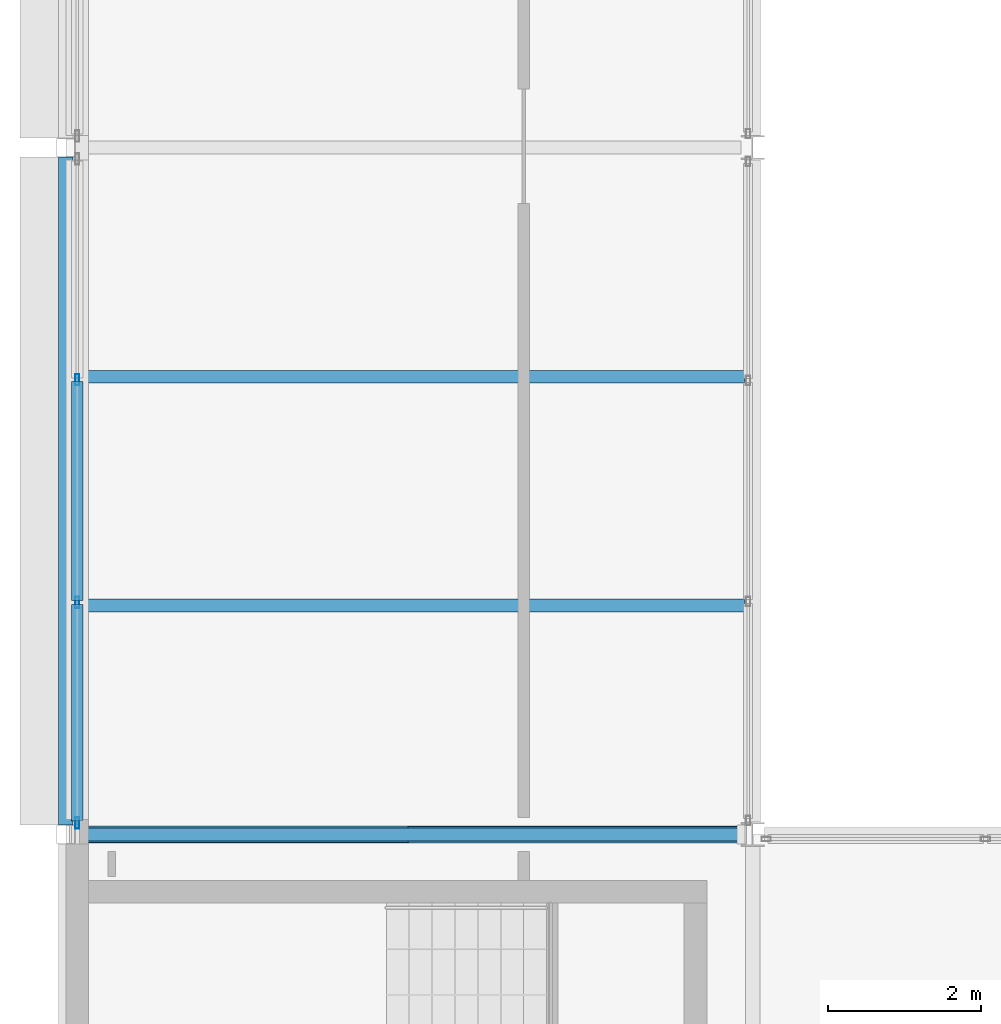
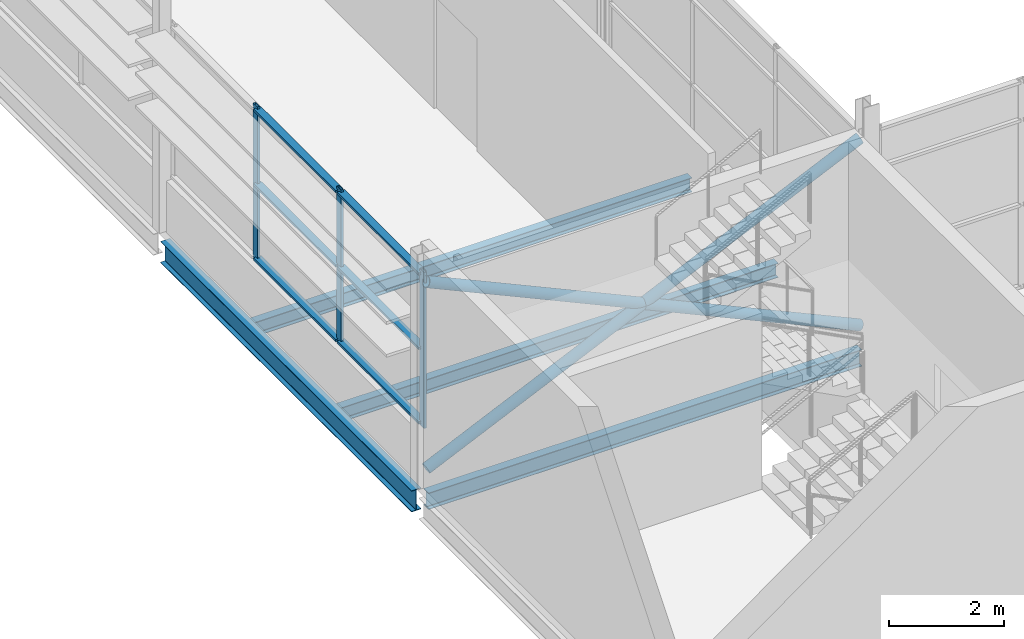
# One storey, part 9 of 61: 11 members, 4 beams, 1 element without a shape of its own.
"""IFC4 building model written with IfcOpenShell, lengths in metres."""

import ifcopenshell
import ifcopenshell.guid

model = None  # the IFC model being written
_history = None  # IfcOwnerHistory: only IFC2X3 demands one
_inside = {}  # id of a spatial element -> (the spatial element, [elements in it])
_under = {}  # id of a project, library or spatial element -> (it, [spatial elements below it])
_declared = {}  # id of a project -> (the project, [libraries it declares])
_typed = {}  # id of a type object -> (the type object, [elements of that type])
_made_of = {}  # id of a material, layer set ... -> (it, [elements and type objects made of it])


def new_model(schema):
    """Start an empty IFC model of exactly this schema.

    Asked for "IFC4X3", IfcOpenShell would pick the latest addendum, in which some entities
    have other attributes; the version numbers below select the first issue.
    IFC2X3 requires an IfcOwnerHistory on every rooted entity: one is made here for all.
    """
    global model, _history
    if schema == "IFC4X3":
        model = ifcopenshell.file(schema_version=(4, 3, 0, 0))
    else:
        model = ifcopenshell.file(schema=schema)
    _inside.clear()
    _under.clear()
    _declared.clear()
    _typed.clear()
    _made_of.clear()
    _history = None
    if model.schema == "IFC2X3":
        org = make("IfcOrganization", Name="unknown")
        user = make(
            "IfcPersonAndOrganization",
            ThePerson=make("IfcPerson", FamilyName="unknown"),
            TheOrganization=org,
        )
        app = make(
            "IfcApplication",
            ApplicationDeveloper=org,
            Version="unknown",
            ApplicationFullName="unknown",
            ApplicationIdentifier="unknown",
        )
        _history = make(
            "IfcOwnerHistory",
            OwningUser=user,
            OwningApplication=app,
            ChangeAction="ADDED",
            CreationDate=0,
        )
    return model


def make(cls, **values):
    """One entity of the class cls with the attributes given. An attribute that is None is left unset."""
    return model.create_entity(
        cls, **{name: value for name, value in values.items() if value is not None}
    )


def rooted(cls, **values):
    """An entity with a GlobalId (a new one), such as an element, a storey or a relation."""
    return make(cls, GlobalId=ifcopenshell.guid.new(), OwnerHistory=_history, **values)


def si_unit(unit_type, name, prefix=None):
    """IfcSIUnit, for example si_unit("LENGTHUNIT", "METRE", prefix="MILLI")."""
    return make("IfcSIUnit", UnitType=unit_type, Prefix=prefix, Name=name)


def assignment(units):
    """IfcUnitAssignment: the units of a project."""
    return None if units is None else make("IfcUnitAssignment", Units=units)


def point(xyz):
    """IfcCartesianPoint."""
    return None if xyz is None else make("IfcCartesianPoint", Coordinates=xyz)


def direction(xyz):
    """IfcDirection."""
    return None if xyz is None else make("IfcDirection", DirectionRatios=xyz)


def frame(location, z_axis=None, x_axis=None):
    """IfcAxis2Placement3D, a coordinate frame: its origin and axes. An axis left out is left unset."""
    return make(
        "IfcAxis2Placement3D",
        Location=point(location),
        Axis=direction(z_axis),
        RefDirection=direction(x_axis),
    )


def frame_2d(location, x_axis=None):
    """IfcAxis2Placement2D, a coordinate frame in the plane: its origin and x axis."""
    return make(
        "IfcAxis2Placement2D", Location=point(location), RefDirection=direction(x_axis)
    )


def origin():
    """The frame at (0, 0, 0) with its axes left unset."""
    return frame((0.0, 0.0, 0.0))


def origin_2d():
    """The frame at (0, 0) in the plane with its x axis left unset."""
    return frame_2d((0.0, 0.0))


def place(relative_to, where):
    """IfcLocalPlacement: puts the frame where relative to a parent placement (None: the world)."""
    return make(
        "IfcLocalPlacement", PlacementRelTo=relative_to, RelativePlacement=where
    )


def context(
    kind, dimensions, precision=None, world=None, true_north=None, identifier=None
):
    """IfcGeometricRepresentationContext, for example the 3D "Model" context."""
    return make(
        "IfcGeometricRepresentationContext",
        ContextIdentifier=identifier,
        ContextType=kind,
        CoordinateSpaceDimension=dimensions,
        Precision=precision,
        WorldCoordinateSystem=world,
        TrueNorth=true_north,
    )


def subcontext(parent, identifier, kind, view, scale=None):
    """IfcGeometricRepresentationSubContext, for example "Body" below "Model"."""
    return make(
        "IfcGeometricRepresentationSubContext",
        ContextIdentifier=identifier,
        ContextType=kind,
        ParentContext=parent,
        TargetScale=scale,
        TargetView=view,
    )


def project(units=None, contexts=None):
    """IfcProject with its units and contexts."""
    return rooted(
        "IfcProject",
        Name="project",
        RepresentationContexts=contexts,
        UnitsInContext=assignment(units),
    )


def spatial(cls, under=None, at=None, **own):
    """A site, building, storey or space (cls), placed at a placement, below another one or the project."""
    s = rooted(cls, ObjectPlacement=at, **own)
    if under is not None:
        _under.setdefault(under.id(), (under, []))[1].append(s)
    return s


def profile(cls, at=None, kind="AREA", **sizes):
    """A parametric profile (cls). Its sizes go by their IFC names, for example OverallWidth=200.0."""
    return make(cls, ProfileType=kind, Position=at, **sizes)


def hollow_rectangle(**sizes):
    """IfcRectangleHollowProfileDef."""
    return profile("IfcRectangleHollowProfileDef", **sizes)


def hollow_circle(**sizes):
    """IfcCircleHollowProfileDef."""
    return profile("IfcCircleHollowProfileDef", **sizes)


def i_section(**sizes):
    """IfcIShapeProfileDef."""
    return profile("IfcIShapeProfileDef", **sizes)


def extrude(swept, where, along, depth):
    """IfcExtrudedAreaSolid: the profile swept, set in the frame where, extruded along a direction by depth."""
    return make(
        "IfcExtrudedAreaSolid",
        SweptArea=swept,
        Position=where,
        ExtrudedDirection=direction(along),
        Depth=depth,
    )


def shape(context_of_items, identifier, shape_type, items):
    """IfcShapeRepresentation: the items that make up one representation, for example the "Body"."""
    return make(
        "IfcShapeRepresentation",
        ContextOfItems=context_of_items,
        RepresentationIdentifier=identifier,
        RepresentationType=shape_type,
        Items=items,
    )


def material(Name=None, Category=None):
    """IfcMaterial."""
    return make("IfcMaterial", Name=Name, Category=Category)


def layer(
    of_material, thickness, ventilated=None, Name=None, Category=None, Priority=None
):
    """IfcMaterialLayer: one layer of a wall or slab, of a material (None: an air gap)."""
    return make(
        "IfcMaterialLayer",
        Material=of_material,
        LayerThickness=thickness,
        IsVentilated=ventilated,
        Name=Name,
        Category=Category,
        Priority=Priority,
    )


def layer_set(layers, Name=None):
    """IfcMaterialLayerSet."""
    return make("IfcMaterialLayerSet", MaterialLayers=layers, LayerSetName=Name)


def material_profile(
    of_material, cross_section, Name=None, Category=None, Priority=None
):
    """IfcMaterialProfile: a cross section and its material."""
    return make(
        "IfcMaterialProfile",
        Name=Name,
        Material=of_material,
        Profile=cross_section,
        Priority=Priority,
        Category=Category,
    )


def profile_set(profiles, Name=None, composite=None):
    """IfcMaterialProfileSet."""
    return make(
        "IfcMaterialProfileSet",
        Name=Name,
        MaterialProfiles=profiles,
        CompositeProfile=composite,
    )


def made_of(thing, what):
    """Note that an element or type object is made of a material, layer set ...; save() writes the relation."""
    if what is not None:
        _made_of.setdefault(what.id(), (what, []))[1].append(thing)
    return thing


def type_object(cls, material=None, **own):
    """A type object (cls), such as IfcWallType, which elements share."""
    return made_of(rooted(cls, **own), material)


def element(
    cls,
    number,
    at=None,
    inside=None,
    cuts=None,
    type_object=None,
    material=None,
    context=None,
    identifier="Body",
    shape_type=None,
    held_by="IfcProductDefinitionShape",
    body=None,
    shapes=None,
    **own,
):
    """One element of the class cls, such as IfcWall. Its Tag is "e" and its number.

    at: its placement. inside: the storey or other place that contains it. cuts: it is an
    opening in that element (IfcRelVoidsElement). A single representation is given by context,
    identifier, shape_type and body (its items); several are given by shapes. held_by: the class
    of the entity that holds the representations. save() writes the other relations.
    """
    e = rooted(cls, Tag="e%d" % number, ObjectPlacement=at, **own)
    if body is not None:
        shapes = [shape(context, identifier, shape_type, body)]
    if shapes is not None:
        e.Representation = make(held_by, Representations=shapes)
    if inside is not None:
        _inside.setdefault(inside.id(), (inside, []))[1].append(e)
    if cuts is not None:
        rooted(
            "IfcRelVoidsElement", RelatingBuildingElement=cuts, RelatedOpeningElement=e
        )
    if type_object is not None:
        _typed.setdefault(type_object.id(), (type_object, []))[1].append(e)
    return made_of(e, material)


def aggregate(whole, parts):
    """IfcRelAggregates: a whole, such as a stair, and the parts it consists of."""
    return rooted("IfcRelAggregates", RelatingObject=whole, RelatedObjects=parts)


def save(model, path):
    """Write the relations noted so far, then the file.

    IfcRelAggregates (storeys below a building ...), IfcRelContainedInSpatialStructure (elements
    in a storey), IfcRelDefinesByType, IfcRelAssociatesMaterial and IfcRelDeclares: one each for
    every whole, place, type object, material and project.
    """
    for whole, parts in _under.values():
        aggregate(whole, parts)
    for where, things in _inside.values():
        rooted(
            "IfcRelContainedInSpatialStructure",
            RelatedElements=things,
            RelatingStructure=where,
        )
    for kind, things in _typed.values():
        rooted("IfcRelDefinesByType", RelatedObjects=things, RelatingType=kind)
    for what, things in _made_of.values():
        rooted("IfcRelAssociatesMaterial", RelatedObjects=things, RelatingMaterial=what)
    for by, libraries in _declared.values():
        rooted("IfcRelDeclares", RelatingContext=by, RelatedDefinitions=libraries)
    model.write(path)


model = new_model("IFC4")

# Units and contexts
model_context = context("Model", 3, precision=1e-05, world=origin(), true_north=direction((0.0, 1.0)))
body_context = subcontext(model_context, "Body", "Model", "MODEL_VIEW")
ifc_project = project(units=[si_unit("LENGTHUNIT", "METRE"), si_unit("AREAUNIT", "SQUARE_METRE"), si_unit("VOLUMEUNIT", "CUBIC_METRE"), si_unit("PLANEANGLEUNIT", "RADIAN"), si_unit("MASSUNIT", "GRAM", prefix="KILO")], contexts=[model_context])

# Site, building, storey
site_placement = place(None, origin())
site = spatial("IfcSite", under=ifc_project, at=site_placement, CompositionType="ELEMENT")
building_placement = place(site_placement, origin())
building = spatial("IfcBuilding", under=site, at=building_placement, Name="Shorebreak Coast Museum", CompositionType="ELEMENT")
storey_placement = place(building_placement, frame((0.0, 0.0, 26.0)))
storey = spatial("IfcBuildingStorey", under=building, at=storey_placement, Name="L04", CompositionType="ELEMENT", Elevation=26.0)

# Beams
ifc_material_1 = material(Name="Steel Grade 300", Category="steel")
ifc_material_profile_1 = material_profile(ifc_material_1, i_section(OverallWidth=0.1708984375, OverallDepth=0.35205078125, WebThickness=0.0068359375, FlangeThickness=0.009765625, FilletRadius=0.011474609375, at=origin_2d()), Name="360UB44.7")
ifc_profile_set_1 = profile_set([ifc_material_profile_1], Name="Steel Grade 300")
beam_type_1 = type_object("IfcBeamType", Name="Floor girder east-west 360UB44.7", PredefinedType="BEAM", material=ifc_profile_set_1)
beam_1_placement = place(storey_placement, frame((54.125, 63.0, -0.35107421875), z_axis=(1.0, 0.0, 0.0), x_axis=(0.0, 1.0, 0.0)))
element("IfcBeam", 1, at=beam_1_placement, inside=storey, type_object=beam_type_1, Name="Floor girder east-west L04 7H", PredefinedType="BEAM", context=body_context, shape_type="SweptSolid", body=[
    extrude(i_section(OverallWidth=0.1708984375, OverallDepth=0.35205078125, WebThickness=0.0068359375, FlangeThickness=0.009765625, FilletRadius=0.011474609375, at=origin_2d()), origin(), (0.0, 0.0, 1.0), 8.720458984375),
])
ifc_material_2 = material(Name="Steel Grade 300", Category="steel")
ifc_material_profile_2 = material_profile(ifc_material_2, i_section(OverallWidth=0.18994140625, OverallDepth=0.453857421875, WebThickness=0.008544921875, FlangeThickness=0.0126953125, FilletRadius=0.011474609375, at=origin_2d()), Name="460UB67.1")
ifc_profile_set_2 = profile_set([ifc_material_profile_2], Name="Steel Grade 300")
beam_type_2 = type_object("IfcBeamType", Name="Floor girder north-south 460UB67.1", PredefinedType="BEAM", material=ifc_profile_set_2)
beam_2_placement = place(storey_placement, frame((54.0, 63.125, -0.40185546875), z_axis=(0.0, 1.0, 0.0), x_axis=(-1.0, 0.0, 0.0)))
element("IfcBeam", 2, at=beam_2_placement, inside=storey, type_object=beam_type_2, Name="Floor girder north-south L04 7H", PredefinedType="BEAM", context=body_context, shape_type="SweptSolid", body=[
    extrude(i_section(OverallWidth=0.18994140625, OverallDepth=0.453857421875, WebThickness=0.008544921875, FlangeThickness=0.0126953125, FilletRadius=0.011474609375, at=origin_2d()), origin(), (0.0, 0.0, 1.0), 8.75),
])
ifc_material_3 = material(Name="Steel Grade 300", Category="steel")
ifc_material_profile_3 = material_profile(ifc_material_3, i_section(OverallWidth=0.1650390625, OverallDepth=0.303955078125, WebThickness=0.006103515625, FlangeThickness=0.01025390625, FilletRadius=0.011474609375, at=origin_2d()), Name="310UB40.4")
ifc_profile_set_3 = profile_set([ifc_material_profile_3], Name="Steel Grade 300")
beam_type_3 = type_object("IfcBeamType", Name="Floor joist 310UB40.4", PredefinedType="JOIST", material=ifc_profile_set_3)
for number, where, z_axis, x_axis, name in (
    (3, (54.094970703125, 66.0, -0.326904296875), (1.0, 0.0, 0.0), (0.0, 1.0, 0.0), "Floor joist L04 bay 7H at 3000 mm"),
    (4, (54.094970703125, 69.0, -0.326904296875), (1.0, 0.0, 0.0), (0.0, 1.0, 0.0), "Floor joist L04 bay 7H at 6000 mm"),
):
    element("IfcBeam", number, at=place(storey_placement, frame(where, z_axis=z_axis, x_axis=x_axis)), inside=storey, type_object=beam_type_3, Name=name, PredefinedType="JOIST", context=body_context, shape_type="SweptSolid", body=[
        extrude(i_section(OverallWidth=0.1650390625, OverallDepth=0.303955078125, WebThickness=0.006103515625, FlangeThickness=0.01025390625, FilletRadius=0.011474609375, at=origin_2d()), origin(), (0.0, 0.0, 1.0), 8.800537109375),
    ])

# Curtain wall, members
ifc_material_4 = material(Name="Aluminium", Category="aluminium")
ifc_layer = layer(ifc_material_4, 0.14990234375)
ifc_layer_set = layer_set([ifc_layer], Name="Aluminium")
curtain_wall_type = type_object("IfcCurtainWallType", Name="Storefront curtain wall", PredefinedType="NOTDEFINED", material=ifc_layer_set)
curtain_wall_placement = place(storey_placement, origin())
curtain_wall = element("IfcCurtainWall", 5, at=curtain_wall_placement, inside=storey, type_object=curtain_wall_type, Name="Atrium Hall glazing L04 W 9", PredefinedType="NOTDEFINED")
ifc_material_5 = material(Name="Aluminium", Category="aluminium")
ifc_material_profile_4 = material_profile(ifc_material_5, hollow_rectangle(XDim=0.050048828125, YDim=0.14990234375, WallThickness=0.00390625, at=origin_2d()), Name="AL 150x50 RHS")
ifc_profile_set_4 = profile_set([ifc_material_profile_4], Name="Aluminium")
member_type_1 = type_object("IfcMemberType", Name="Storefront mullion 50 x 150", PredefinedType="MULLION", material=ifc_profile_set_4)
member_1_placement = place(storey_placement, frame((54.14990234375, 63.14990234375, 1.10009765625), z_axis=(0.0, 0.0, 1.0), x_axis=(-1.0, 0.0, 0.0)))
member_1 = element("IfcMember", 6, at=member_1_placement, type_object=member_type_1, Name="CW5 mullion 1", PredefinedType="MULLION", context=body_context, shape_type="SweptSolid", body=[
    extrude(hollow_rectangle(XDim=0.050048828125, YDim=0.14990234375, WallThickness=0.00390625, at=origin_2d()), origin(), (0.0, 0.0, 1.0), 3.318603515625),
])
member_2_placement = place(storey_placement, frame((54.14990234375, 66.041748046875, 1.10009765625), z_axis=(0.0, 0.0, 1.0), x_axis=(-1.0, 0.0, 0.0)))
member_2 = element("IfcMember", 7, at=member_2_placement, type_object=member_type_1, Name="CW5 mullion 2", PredefinedType="MULLION", context=body_context, shape_type="SweptSolid", body=[
    extrude(hollow_rectangle(XDim=0.050048828125, YDim=0.14990234375, WallThickness=0.00390625, at=origin_2d()), origin(), (0.0, 0.0, 1.0), 3.318603515625),
])
member_3_placement = place(storey_placement, frame((54.14990234375, 68.958251953125, 1.10009765625), z_axis=(0.0, 0.0, 1.0), x_axis=(-1.0, 0.0, 0.0)))
member_3 = element("IfcMember", 8, at=member_3_placement, type_object=member_type_1, Name="CW5 mullion 3", PredefinedType="MULLION", context=body_context, shape_type="SweptSolid", body=[
    extrude(hollow_rectangle(XDim=0.050048828125, YDim=0.14990234375, WallThickness=0.00390625, at=origin_2d()), origin(), (0.0, 0.0, 1.0), 3.318603515625),
])
ifc_material_6 = material(Name="Aluminium", Category="aluminium")
ifc_material_profile_5 = material_profile(ifc_material_6, hollow_rectangle(XDim=0.14990234375, YDim=0.050048828125, WallThickness=0.00390625, at=origin_2d()), Name="AL 50x150 RHS")
ifc_profile_set_5 = profile_set([ifc_material_profile_5], Name="Aluminium")
member_type_2 = type_object("IfcMemberType", Name="Storefront transom 150 x 50", PredefinedType="USERDEFINED", material=ifc_profile_set_5)
member_4_placement = place(storey_placement, frame((54.14990234375, 63.175048828125, 1.175048828125), z_axis=(0.0, 1.0, 0.0), x_axis=(-1.0, 0.0, 0.0)))
member_4 = element("IfcMember", 9, at=member_4_placement, type_object=member_type_2, Name="CW5 transom 1.1", ObjectType="TRANSOM", PredefinedType="USERDEFINED", context=body_context, shape_type="SweptSolid", body=[
    extrude(hollow_rectangle(XDim=0.14990234375, YDim=0.050048828125, WallThickness=0.00390625, at=origin_2d()), origin(), (0.0, 0.0, 1.0), 2.841552734375),
])
member_5_placement = place(storey_placement, frame((54.14990234375, 63.175048828125, 2.75927734375), z_axis=(0.0, 1.0, 0.0), x_axis=(-1.0, 0.0, 0.0)))
member_5 = element("IfcMember", 10, at=member_5_placement, type_object=member_type_2, Name="CW5 transom 1.2", ObjectType="TRANSOM", PredefinedType="USERDEFINED", context=body_context, shape_type="SweptSolid", body=[
    extrude(hollow_rectangle(XDim=0.14990234375, YDim=0.050048828125, WallThickness=0.00390625, at=origin_2d()), origin(), (0.0, 0.0, 1.0), 2.841552734375),
])
member_6_placement = place(storey_placement, frame((54.14990234375, 63.175048828125, 4.343505859375), z_axis=(0.0, 1.0, 0.0), x_axis=(-1.0, 0.0, 0.0)))
member_6 = element("IfcMember", 11, at=member_6_placement, type_object=member_type_2, Name="CW5 transom 1.3", ObjectType="TRANSOM", PredefinedType="USERDEFINED", context=body_context, shape_type="SweptSolid", body=[
    extrude(hollow_rectangle(XDim=0.14990234375, YDim=0.050048828125, WallThickness=0.00390625, at=origin_2d()), origin(), (0.0, 0.0, 1.0), 2.841552734375),
])
member_7_placement = place(storey_placement, frame((54.14990234375, 66.066650390625, 1.175048828125), z_axis=(0.0, 1.0, 0.0), x_axis=(-1.0, 0.0, 0.0)))
member_7 = element("IfcMember", 12, at=member_7_placement, type_object=member_type_2, Name="CW5 transom 2.1", ObjectType="TRANSOM", PredefinedType="USERDEFINED", context=body_context, shape_type="SweptSolid", body=[
    extrude(hollow_rectangle(XDim=0.14990234375, YDim=0.050048828125, WallThickness=0.00390625, at=origin_2d()), origin(), (0.0, 0.0, 1.0), 2.86669921875),
])
member_8_placement = place(storey_placement, frame((54.14990234375, 66.066650390625, 2.75927734375), z_axis=(0.0, 1.0, 0.0), x_axis=(-1.0, 0.0, 0.0)))
member_8 = element("IfcMember", 13, at=member_8_placement, type_object=member_type_2, Name="CW5 transom 2.2", ObjectType="TRANSOM", PredefinedType="USERDEFINED", context=body_context, shape_type="SweptSolid", body=[
    extrude(hollow_rectangle(XDim=0.14990234375, YDim=0.050048828125, WallThickness=0.00390625, at=origin_2d()), origin(), (0.0, 0.0, 1.0), 2.86669921875),
])
member_9_placement = place(storey_placement, frame((54.14990234375, 66.066650390625, 4.343505859375), z_axis=(0.0, 1.0, 0.0), x_axis=(-1.0, 0.0, 0.0)))
member_9 = element("IfcMember", 14, at=member_9_placement, type_object=member_type_2, Name="CW5 transom 2.3", ObjectType="TRANSOM", PredefinedType="USERDEFINED", context=body_context, shape_type="SweptSolid", body=[
    extrude(hollow_rectangle(XDim=0.14990234375, YDim=0.050048828125, WallThickness=0.00390625, at=origin_2d()), origin(), (0.0, 0.0, 1.0), 2.86669921875),
])
aggregate(curtain_wall, [member_1, member_2, member_3, member_4, member_5, member_6, member_7, member_8, member_9])

# Members
ifc_material_7 = material(Name="Steel Grade C350L0", Category="steel")
ifc_material_profile_6 = material_profile(ifc_material_7, hollow_circle(Radius=0.109619140625, WallThickness=0.00830078125, at=origin_2d()), Name="219.1x8.2 CHS")
ifc_profile_set_6 = profile_set([ifc_material_profile_6], Name="Steel Grade C350L0")
member_type_3 = type_object("IfcMemberType", Name="X-brace 219.1x8.2 CHS", PredefinedType="BRACE", material=ifc_profile_set_6)
for number, where, z_axis, x_axis, name in (
    (15, (54.125, 63.0, 0.300048828125), (0.909950784, 0.0, 0.414716253235), (0.0, 1.0, 0.0), "X-brace bay 01 L04 diagonal 1"),
    (16, (62.846435546875, 63.0, 0.300048828125), (-0.909950784, 0.0, 0.414716253235), (0.0, -1.0, 0.0), "X-brace bay 01 L04 diagonal 2"),
):
    element("IfcMember", number, at=place(storey_placement, frame(where, z_axis=z_axis, x_axis=x_axis)), inside=storey, type_object=member_type_3, Name=name, PredefinedType="BRACE", context=body_context, shape_type="SweptSolid", body=[
        extrude(hollow_circle(Radius=0.109619140625, WallThickness=0.00830078125, at=origin_2d()), origin(), (0.0, 0.0, 1.0), 9.58447265625),
    ])

save(model, "model.ifc")
